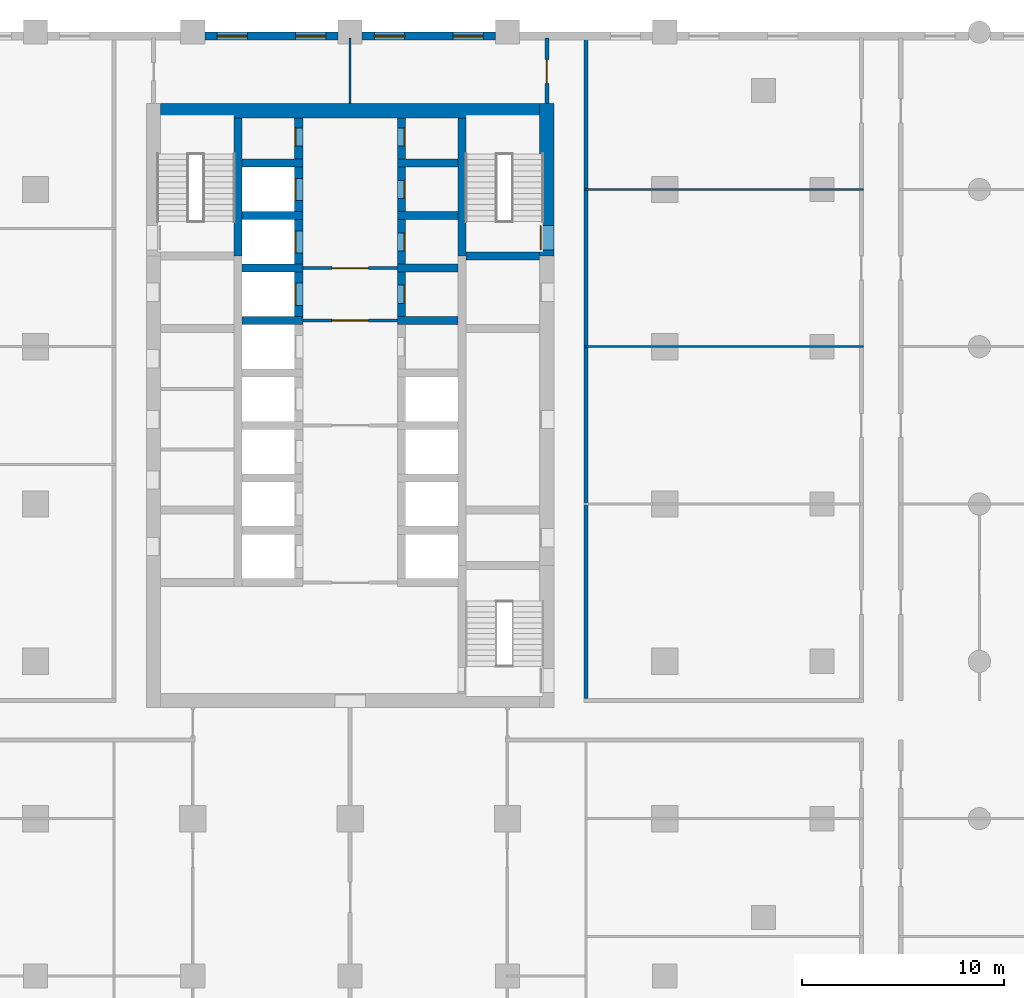
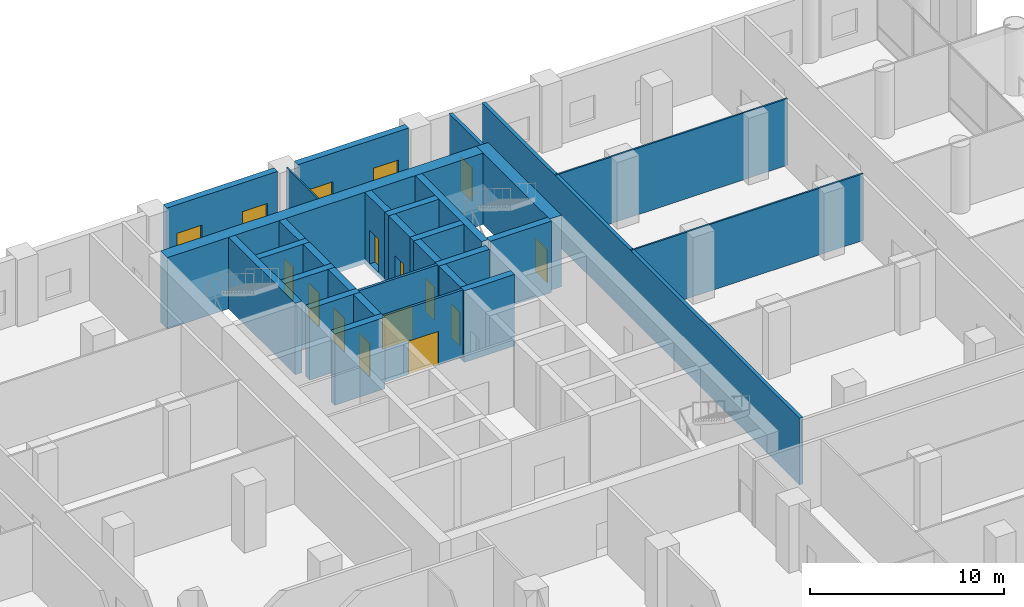
# One storey, part 13 of 24: 30 walls, 12 doors, 4 windows, 16 openings.
"""IFC4 building model written with IfcOpenShell, lengths in metres."""

from ifc_helpers import new_model, si_unit, direction, frame, frame_2d, origin, place, context, subcontext, project, spatial, rectangle, extrude, material, layer, layer_set, type_object, element, fill, save


model = new_model("IFC4")

# Units and contexts
model_context = context("Model", 3, precision=1e-05, world=origin(), true_north=direction((0.0, 1.0)))
body_context = subcontext(model_context, "Body", "Model", "MODEL_VIEW")
ifc_project = project(units=[si_unit("LENGTHUNIT", "METRE"), si_unit("AREAUNIT", "SQUARE_METRE"), si_unit("VOLUMEUNIT", "CUBIC_METRE"), si_unit("PLANEANGLEUNIT", "RADIAN"), si_unit("MASSUNIT", "GRAM", prefix="KILO")], contexts=[model_context])

# Site, building, storey
site_placement = place(None, origin())
site = spatial("IfcSite", under=ifc_project, at=site_placement, CompositionType="ELEMENT")
building_placement = place(site_placement, origin())
building = spatial("IfcBuilding", under=site, at=building_placement, Name="Ludao Terraces", CompositionType="ELEMENT")
storey_placement = place(building_placement, frame((0.0, 0.0, 6.0)))
storey = spatial("IfcBuildingStorey", under=building, at=storey_placement, Name="L01", CompositionType="ELEMENT", Elevation=6.0)

# Wall, opening, door
ifc_material_1 = material(Name="Concrete C70", Category="concrete")
ifc_layer_1 = layer(ifc_material_1, 0.699951171875)
ifc_layer_set_1 = layer_set([ifc_layer_1], Name="Core wall 700 C70")
wall_type_1 = type_object("IfcWallType", Name="Core wall 700 C70", PredefinedType="SOLIDWALL", material=ifc_layer_set_1)
wall_1_placement = place(storey_placement, frame((94.75, 77.300048828125, -0.300048828125), z_axis=(0.0, 0.0, 1.0), x_axis=(0.0, 1.0, 0.0)))
wall_1 = element("IfcWall", 1, at=wall_1_placement, inside=storey, type_object=wall_type_1, Name="Core wall L01 outer-E-S2", PredefinedType="SOLIDWALL", context=body_context, shape_type="SweptSolid", body=[
    extrude(rectangle(XDim=7.550048828125, YDim=0.699951171875, at=frame_2d((3.77490234375, 0.0))), origin(), (0.0, 0.0, 1.0), 4.5),
])
opening_1_placement = place(wall_1_placement, frame((0.300048828125, 0.0, 0.300048828125)))
opening_1 = element("IfcOpeningElement", 2, at=opening_1_placement, cuts=wall_1, Name="Opening L01-066", PredefinedType="OPENING", context=body_context, shape_type="SweptSolid", body=[
    extrude(rectangle(XDim=1.199951171875, YDim=2.10009765625, at=frame_2d((0.60009765625, 1.050048828125))), frame((0.0, 0.35986328125, 0.0), z_axis=(0.0, -1.0, 0.0), x_axis=(1.0, 0.0, 0.0)), (0.0, 0.0, 1.0), 0.719970703125),
])
ifc_material_2 = material(Name="Steel Q235", Category="steel")
door_type_1 = type_object("IfcDoorType", Name="INT Stair door 1200", OperationType="DOUBLE_DOOR_SINGLE_SWING", PredefinedType="DOOR", material=ifc_material_2)
door_1_placement = place(opening_1_placement, origin())
door_1 = element("IfcDoor", 3, at=door_1_placement, inside=storey, type_object=door_type_1, Name="DOOR 066", OperationType="DOUBLE_DOOR_SINGLE_SWING", OverallHeight=2.10009765625, OverallWidth=1.199951171875, PredefinedType="DOOR", context=body_context, shape_type="SweptSolid", body=[
    extrude(rectangle(XDim=1.199951171875, YDim=2.10009765625, at=frame_2d((0.60009765625, 1.050048828125))), frame((0.0, 0.3349609375, 0.0), z_axis=(0.0, -1.0, 0.0), x_axis=(1.0, 0.0, 0.0)), (0.0, 0.0, 1.0), 0.050048828125),
])
fill(opening_1, door_1)

# Wall
wall_2_placement = place(storey_placement, frame((75.60009765625, 84.5, -0.300048828125), z_axis=(0.0, 0.0, 1.0), x_axis=(1.0, 0.0, 0.0)))
element("IfcWall", 4, at=wall_2_placement, inside=storey, type_object=wall_type_1, Name="Core wall L01 outer-N", PredefinedType="SOLIDWALL", context=body_context, shape_type="SweptSolid", body=[
    extrude(rectangle(XDim=18.7998046875, YDim=0.699951171875, at=frame_2d((9.39990234375, 0.0))), origin(), (0.0, 0.0, 1.0), 4.5),
])

# Wall, openings, windows
ifc_material_3 = material(Name="Granite cladding", Category="masonry")
ifc_layer_2 = layer(ifc_material_3, 0.06005859375, Category="stone")
ifc_material_4 = material(Name="Mineral wool")
ifc_layer_3 = layer(ifc_material_4, 0.06005859375)
ifc_material_5 = material(Name="Concrete C40", Category="concrete")
ifc_layer_4 = layer(ifc_material_5, 0.260009765625, Category="concrete")
ifc_layer_set_2 = layer_set([ifc_layer_2, ifc_layer_3, ifc_layer_4], Name="ENV Stone-clad wall 380")
wall_type_2 = type_object("IfcWallType", Name="ENV Stone-clad wall 380", PredefinedType="SOLIDWALL", material=ifc_layer_set_2)
wall_3_placement = place(storey_placement, frame((77.800048828125, 88.2099609375, 0.0), z_axis=(0.0, 0.0, 1.0), x_axis=(1.0, 0.0, 0.0)))
wall_3 = element("IfcWall", 5, at=wall_3_placement, inside=storey, type_object=wall_type_2, Name="EW-L01-N4", PredefinedType="SOLIDWALL", context=body_context, shape_type="SweptSolid", body=[
    extrude(rectangle(XDim=6.599853515625, YDim=0.3798828125, at=frame_2d((3.2998046875, 0.0))), origin(), (0.0, 0.0, 1.0), 4.199951171875),
])
opening_2_placement = place(wall_3_placement, frame((0.60009765625, 0.0, 0.89990234375)))
opening_2 = element("IfcOpeningElement", 6, at=opening_2_placement, cuts=wall_3, Name="Opening W5", PredefinedType="OPENING", context=body_context, shape_type="SweptSolid", body=[
    extrude(rectangle(XDim=1.5, YDim=1.5, at=frame_2d((0.75, 0.75))), frame((0.0, 0.199951171875, 0.0), z_axis=(0.0, -1.0, 0.0), x_axis=(1.0, 0.0, 0.0)), (0.0, 0.0, 1.0), 0.39990234375),
])
opening_3_placement = place(wall_3_placement, frame((4.5, 0.0, 0.89990234375)))
opening_3 = element("IfcOpeningElement", 7, at=opening_3_placement, cuts=wall_3, Name="Opening W5", PredefinedType="OPENING", context=body_context, shape_type="SweptSolid", body=[
    extrude(rectangle(XDim=1.5, YDim=1.5, at=frame_2d((0.75, 0.75))), frame((0.0, 0.199951171875, 0.0), z_axis=(0.0, -1.0, 0.0), x_axis=(1.0, 0.0, 0.0)), (0.0, 0.0, 1.0), 0.39990234375),
])
ifc_material_6 = material(Name="Clear glass in aluminium frame", Category="aluminium")
ifc_layer_5 = layer(ifc_material_6, 0.06005859375)
ifc_layer_set_3 = layer_set([ifc_layer_5], Name="ENV Window W5 1500x1500")
window_type = type_object("IfcWindowType", Name="ENV Window W5 1500x1500", PartitioningType="SINGLE_PANEL", PredefinedType="WINDOW", material=ifc_layer_set_3)
window_1_placement = place(opening_2_placement, origin())
window_1 = element("IfcWindow", 8, at=window_1_placement, inside=storey, type_object=window_type, Name="W-L01-N4-1", OverallHeight=1.5, OverallWidth=1.5, PartitioningType="SINGLE_PANEL", PredefinedType="WINDOW", context=body_context, shape_type="SweptSolid", body=[
    extrude(rectangle(XDim=1.5, YDim=1.5, at=frame_2d((0.75, 0.75))), frame((0.0, 0.030029296875, 0.0), z_axis=(0.0, -1.0, 0.0), x_axis=(1.0, 0.0, 0.0)), (0.0, 0.0, 1.0), 0.06005859375),
])
fill(opening_2, window_1)
window_2_placement = place(opening_3_placement, origin())
window_2 = element("IfcWindow", 9, at=window_2_placement, inside=storey, type_object=window_type, Name="W-L01-N4-2", OverallHeight=1.5, OverallWidth=1.5, PartitioningType="SINGLE_PANEL", PredefinedType="WINDOW", context=body_context, shape_type="SweptSolid", body=[
    extrude(rectangle(XDim=1.5, YDim=1.5, at=frame_2d((0.75, 0.75))), frame((0.0, 0.030029296875, 0.0), z_axis=(0.0, -1.0, 0.0), x_axis=(1.0, 0.0, 0.0)), (0.0, 0.0, 1.0), 0.06005859375),
])
fill(opening_3, window_2)

wall_4_placement = place(storey_placement, frame((85.60009765625, 88.2099609375, 0.0), z_axis=(0.0, 0.0, 1.0), x_axis=(1.0, 0.0, 0.0)))
wall_4 = element("IfcWall", 10, at=wall_4_placement, inside=storey, type_object=wall_type_2, Name="EW-L01-N5", PredefinedType="SOLIDWALL", context=body_context, shape_type="SweptSolid", body=[
    extrude(rectangle(XDim=6.599853515625, YDim=0.3798828125, at=frame_2d((3.2998046875, 0.0))), origin(), (0.0, 0.0, 1.0), 4.199951171875),
])
opening_4_placement = place(wall_4_placement, frame((0.60009765625, 0.0, 0.89990234375)))
opening_4 = element("IfcOpeningElement", 11, at=opening_4_placement, cuts=wall_4, Name="Opening W5", PredefinedType="OPENING", context=body_context, shape_type="SweptSolid", body=[
    extrude(rectangle(XDim=1.5, YDim=1.5, at=frame_2d((0.75, 0.75))), frame((0.0, 0.199951171875, 0.0), z_axis=(0.0, -1.0, 0.0), x_axis=(1.0, 0.0, 0.0)), (0.0, 0.0, 1.0), 0.39990234375),
])
opening_5_placement = place(wall_4_placement, frame((4.5, 0.0, 0.89990234375)))
opening_5 = element("IfcOpeningElement", 12, at=opening_5_placement, cuts=wall_4, Name="Opening W5", PredefinedType="OPENING", context=body_context, shape_type="SweptSolid", body=[
    extrude(rectangle(XDim=1.5, YDim=1.5, at=frame_2d((0.75, 0.75))), frame((0.0, 0.199951171875, 0.0), z_axis=(0.0, -1.0, 0.0), x_axis=(1.0, 0.0, 0.0)), (0.0, 0.0, 1.0), 0.39990234375),
])
window_3_placement = place(opening_4_placement, origin())
window_3 = element("IfcWindow", 13, at=window_3_placement, inside=storey, type_object=window_type, Name="W-L01-N5-1", OverallHeight=1.5, OverallWidth=1.5, PartitioningType="SINGLE_PANEL", PredefinedType="WINDOW", context=body_context, shape_type="SweptSolid", body=[
    extrude(rectangle(XDim=1.5, YDim=1.5, at=frame_2d((0.75, 0.75))), frame((0.0, 0.030029296875, 0.0), z_axis=(0.0, -1.0, 0.0), x_axis=(1.0, 0.0, 0.0)), (0.0, 0.0, 1.0), 0.06005859375),
])
fill(opening_4, window_3)
window_4_placement = place(opening_5_placement, origin())
window_4 = element("IfcWindow", 14, at=window_4_placement, inside=storey, type_object=window_type, Name="W-L01-N5-2", OverallHeight=1.5, OverallWidth=1.5, PartitioningType="SINGLE_PANEL", PredefinedType="WINDOW", context=body_context, shape_type="SweptSolid", body=[
    extrude(rectangle(XDim=1.5, YDim=1.5, at=frame_2d((0.75, 0.75))), frame((0.0, 0.030029296875, 0.0), z_axis=(0.0, -1.0, 0.0), x_axis=(1.0, 0.0, 0.0)), (0.0, 0.0, 1.0), 0.06005859375),
])
fill(opening_5, window_4)

# Wall, opening, door
ifc_material_7 = material(Name="Fire-rated gypsum plasterboard", Category="gypsum")
ifc_layer_6 = layer(ifc_material_7, 0.012451171875, Category="gypsum")
ifc_layer_7 = layer(ifc_material_4, 0.10009765625, Name="insulation")
ifc_layer_8 = layer(ifc_material_2, 0.02490234375, Name="stud")
ifc_layer_9 = layer(ifc_material_7, 0.012451171875, Category="gypsum")
ifc_layer_set_4 = layer_set([ifc_layer_6, ifc_layer_7, ifc_layer_8, ifc_layer_9], Name="INT Core partition 150")
wall_type_3 = type_object("IfcWallType", Name="INT Core partition 150", PredefinedType="PARTITIONING", material=ifc_layer_set_4)
wall_5_placement = place(storey_placement, frame((82.650146484375, 74.10009765625, 0.0), z_axis=(0.0, 0.0, 1.0), x_axis=(1.0, 0.0, 0.0)))
wall_5 = element("IfcWall", 15, at=wall_5_placement, inside=storey, type_object=wall_type_3, Name="PW-L01-PW041", PredefinedType="PARTITIONING", context=body_context, shape_type="SweptSolid", body=[
    extrude(rectangle(XDim=4.699951171875, YDim=0.14990234375, at=frame_2d((2.35009765625, 0.0))), origin(), (0.0, 0.0, 1.0), 4.199951171875),
])
opening_6_placement = place(wall_5_placement, frame((1.449951171875, 0.0, 0.0)))
opening_6 = element("IfcOpeningElement", 16, at=opening_6_placement, cuts=wall_5, Name="Opening L01-053", PredefinedType="OPENING", context=body_context, shape_type="SweptSolid", body=[
    extrude(rectangle(XDim=1.800048828125, YDim=2.10009765625, at=frame_2d((0.89990234375, 1.050048828125))), frame((0.0, 0.0849609375, 0.0), z_axis=(0.0, -1.0, 0.0), x_axis=(1.0, 0.0, 0.0)), (0.0, 0.0, 1.0), 0.169921875),
])
door_type_2 = type_object("IfcDoorType", Name="INT Fire lobby door 1800", OperationType="DOUBLE_DOOR_SINGLE_SWING", PredefinedType="DOOR", material=ifc_material_2)
door_2_placement = place(opening_6_placement, origin())
door_2 = element("IfcDoor", 17, at=door_2_placement, inside=storey, type_object=door_type_2, Name="DOOR 053", OperationType="DOUBLE_DOOR_SINGLE_SWING", OverallHeight=2.10009765625, OverallWidth=1.800048828125, PredefinedType="DOOR", context=body_context, shape_type="SweptSolid", body=[
    extrude(rectangle(XDim=1.800048828125, YDim=2.10009765625, at=frame_2d((0.89990234375, 1.050048828125))), frame((0.0, 0.02490234375, 0.0), z_axis=(0.0, -1.0, 0.0), x_axis=(1.0, 0.0, 0.0)), (0.0, 0.0, 1.0), 0.050048828125),
])
fill(opening_6, door_2)

wall_6_placement = place(storey_placement, frame((82.650146484375, 76.699951171875, 0.0), z_axis=(0.0, 0.0, 1.0), x_axis=(1.0, 0.0, 0.0)))
wall_6 = element("IfcWall", 18, at=wall_6_placement, inside=storey, type_object=wall_type_3, Name="PW-L01-PW042", PredefinedType="PARTITIONING", context=body_context, shape_type="SweptSolid", body=[
    extrude(rectangle(XDim=4.699951171875, YDim=0.14990234375, at=frame_2d((2.35009765625, 0.0))), origin(), (0.0, 0.0, 1.0), 4.199951171875),
])
opening_7_placement = place(wall_6_placement, frame((1.449951171875, 0.0, 0.0)))
opening_7 = element("IfcOpeningElement", 19, at=opening_7_placement, cuts=wall_6, Name="Opening L01-060", PredefinedType="OPENING", context=body_context, shape_type="SweptSolid", body=[
    extrude(rectangle(XDim=1.800048828125, YDim=2.10009765625, at=frame_2d((0.89990234375, 1.050048828125))), frame((0.0, 0.0849609375, 0.0), z_axis=(0.0, -1.0, 0.0), x_axis=(1.0, 0.0, 0.0)), (0.0, 0.0, 1.0), 0.169921875),
])
door_3_placement = place(opening_7_placement, origin())
door_3 = element("IfcDoor", 20, at=door_3_placement, inside=storey, type_object=door_type_2, Name="DOOR 060", OperationType="DOUBLE_DOOR_SINGLE_SWING", OverallHeight=2.10009765625, OverallWidth=1.800048828125, PredefinedType="DOOR", context=body_context, shape_type="SweptSolid", body=[
    extrude(rectangle(XDim=1.800048828125, YDim=2.10009765625, at=frame_2d((0.89990234375, 1.050048828125))), frame((0.0, 0.02490234375, 0.0), z_axis=(0.0, -1.0, 0.0), x_axis=(1.0, 0.0, 0.0)), (0.0, 0.0, 1.0), 0.050048828125),
])
fill(opening_7, door_3)

ifc_material_8 = material(Name="Autoclaved aerated concrete block B06 A3.5", Category="concrete")
ifc_layer_10 = layer(ifc_material_8, 0.199951171875)
ifc_layer_set_5 = layer_set([ifc_layer_10], Name="INT Entrance wall 200")
wall_type_4 = type_object("IfcWallType", Name="INT Entrance wall 200", PredefinedType="PARTITIONING", material=ifc_layer_set_5)
wall_7_placement = place(storey_placement, frame((94.75, 84.85009765625, 0.0), z_axis=(0.0, 0.0, 1.0), x_axis=(0.0, 1.0, 0.0)))
wall_7 = element("IfcWall", 21, at=wall_7_placement, inside=storey, type_object=wall_type_4, Name="PW-L01-PW066", PredefinedType="PARTITIONING", context=body_context, shape_type="SweptSolid", body=[
    extrude(rectangle(XDim=3.25, YDim=0.199951171875, at=frame_2d((1.625, 0.0))), origin(), (0.0, 0.0, 1.0), 4.199951171875),
])
opening_8_placement = place(wall_7_placement, frame((1.0, 0.0, 0.0)))
opening_8 = element("IfcOpeningElement", 22, at=opening_8_placement, cuts=wall_7, Name="Opening L01-076", PredefinedType="OPENING", context=body_context, shape_type="SweptSolid", body=[
    extrude(rectangle(XDim=1.199951171875, YDim=2.10009765625, at=frame_2d((0.60009765625, 1.050048828125))), frame((0.0, 0.10986328125, 0.0), z_axis=(0.0, -1.0, 0.0), x_axis=(1.0, 0.0, 0.0)), (0.0, 0.0, 1.0), 0.219970703125),
])
ifc_material_9 = material(Name="Timber door leaf", Category="wood")
door_type_3 = type_object("IfcDoorType", Name="INT Double door 1200", OperationType="DOUBLE_DOOR_SINGLE_SWING", PredefinedType="DOOR", material=ifc_material_9)
door_4_placement = place(opening_8_placement, origin())
door_4 = element("IfcDoor", 23, at=door_4_placement, inside=storey, type_object=door_type_3, Name="DOOR 076", OperationType="DOUBLE_DOOR_SINGLE_SWING", OverallHeight=2.10009765625, OverallWidth=1.199951171875, PredefinedType="DOOR", context=body_context, shape_type="SweptSolid", body=[
    extrude(rectangle(XDim=1.199951171875, YDim=2.10009765625, at=frame_2d((0.60009765625, 1.050048828125))), frame((0.0, 0.02490234375, 0.0), z_axis=(0.0, -1.0, 0.0), x_axis=(1.0, 0.0, 0.0)), (0.0, 0.0, 1.0), 0.050048828125),
])
fill(opening_8, door_4)

# Walls
wall_8_placement = place(storey_placement, frame((96.699951171875, 55.35009765625, 0.0), z_axis=(0.0, 0.0, 1.0), x_axis=(0.0, 1.0, 0.0)))
element("IfcWall", 24, at=wall_8_placement, inside=storey, type_object=wall_type_4, Name="PW-L01-PW069", PredefinedType="PARTITIONING", context=body_context, shape_type="SweptSolid", body=[
    extrude(rectangle(XDim=32.75, YDim=0.199951171875, at=frame_2d((16.375, 0.0))), origin(), (0.0, 0.0, 1.0), 4.199951171875),
])
ifc_material_10 = material(Name="Gypsum plasterboard", Category="gypsum")
ifc_layer_11 = layer(ifc_material_10, 0.012451171875, Category="gypsum")
ifc_layer_12 = layer(ifc_material_4, 0.06005859375, Name="insulation")
ifc_layer_13 = layer(ifc_material_2, 0.014892578125, Name="stud")
ifc_layer_14 = layer(ifc_material_10, 0.012451171875, Category="gypsum")
ifc_layer_set_6 = layer_set([ifc_layer_11, ifc_layer_12, ifc_layer_13, ifc_layer_14], Name="INT Partition 100")
wall_type_5 = type_object("IfcWallType", Name="INT Partition 100", PredefinedType="PARTITIONING", material=ifc_layer_set_6)
for number, where, z_axis, x_axis, name in (
    (25, (96.60009765625, 72.800048828125, 0.0), (0.0, 0.0, 1.0), (1.0, 0.0, 0.0), "PW-L01-PW038"),
    (26, (96.60009765625, 80.60009765625, 0.0), (0.0, 0.0, 1.0), (1.0, 0.0, 0.0), "PW-L01-PW046"),
):
    element("IfcWall", number, at=place(storey_placement, frame(where, z_axis=z_axis, x_axis=x_axis)), inside=storey, type_object=wall_type_5, Name=name, PredefinedType="PARTITIONING", context=body_context, shape_type="SweptSolid", body=[
        extrude(rectangle(XDim=13.85009765625, YDim=0.10009765625, at=frame_2d((6.925048828125, 0.0))), origin(), (0.0, 0.0, 1.0), 4.199951171875),
    ])
wall_9_placement = place(storey_placement, frame((85.0, 84.85009765625, 0.0), z_axis=(0.0, 0.0, 1.0), x_axis=(0.0, 1.0, 0.0)))
element("IfcWall", 27, at=wall_9_placement, inside=storey, type_object=wall_type_5, Name="PW-L01-PW062", PredefinedType="PARTITIONING", context=body_context, shape_type="SweptSolid", body=[
    extrude(rectangle(XDim=3.25, YDim=0.10009765625, at=frame_2d((1.625, 0.0))), origin(), (0.0, 0.0, 1.0), 4.199951171875),
])
ifc_material_11 = material(Name="Concrete C60", Category="concrete")
ifc_layer_15 = layer(ifc_material_11, 0.39990234375)
ifc_layer_set_7 = layer_set([ifc_layer_15], Name="Shaft wall 400 C60")
wall_type_6 = type_object("IfcWallType", Name="Shaft wall 400 C60", PredefinedType="SOLIDWALL", material=ifc_layer_set_7)
for number, where, z_axis, x_axis, name in (
    (28, (79.449951171875, 77.300048828125, -0.300048828125), (0.0, 0.0, 1.0), (0.0, 1.0, 0.0), "Core wall L01 back-W-S1"),
    (29, (90.550048828125, 77.300048828125, -0.300048828125), (0.0, 0.0, 1.0), (0.0, 1.0, 0.0), "Core wall L01 back-E-S2"),
):
    element("IfcWall", number, at=place(storey_placement, frame(where, z_axis=z_axis, x_axis=x_axis)), inside=storey, type_object=wall_type_6, Name=name, PredefinedType="SOLIDWALL", context=body_context, shape_type="SweptSolid", body=[
        extrude(rectangle(XDim=6.849853515625, YDim=0.39990234375, at=frame_2d((3.4248046875, 0.0))), origin(), (0.0, 0.0, 1.0), 4.5),
    ])
wall_10_placement = place(storey_placement, frame((79.64990234375, 74.10009765625, -0.300048828125), z_axis=(0.0, 0.0, 1.0), x_axis=(1.0, 0.0, 0.0)))
element("IfcWall", 30, at=wall_10_placement, inside=storey, type_object=wall_type_6, Name="Core wall L01 div-W6", PredefinedType="SOLIDWALL", context=body_context, shape_type="SweptSolid", body=[
    extrude(rectangle(XDim=3.0, YDim=0.39990234375, at=frame_2d((1.5, 0.0))), origin(), (0.0, 0.0, 1.0), 4.5),
])

# Wall, opening, door
wall_11_placement = place(storey_placement, frame((82.449951171875, 74.300048828125, -0.300048828125), z_axis=(0.0, 0.0, 1.0), x_axis=(0.0, 1.0, 0.0)))
wall_11 = element("IfcWall", 31, at=wall_11_placement, inside=storey, type_object=wall_type_6, Name="Core wall L01 front-W6", PredefinedType="SOLIDWALL", context=body_context, shape_type="SweptSolid", body=[
    extrude(rectangle(XDim=2.199951171875, YDim=0.39990234375, at=frame_2d((1.10009765625, 0.0))), origin(), (0.0, 0.0, 1.0), 4.5),
])
opening_9_placement = place(wall_11_placement, frame((0.550048828125, 0.0, 0.300048828125)))
opening_9 = element("IfcOpeningElement", 32, at=opening_9_placement, cuts=wall_11, Name="Opening LD-LA6", PredefinedType="OPENING", context=body_context, shape_type="SweptSolid", body=[
    extrude(rectangle(XDim=1.10009765625, YDim=2.10009765625, at=frame_2d((0.550048828125, 1.050048828125))), frame((0.0, 0.2099609375, 0.0), z_axis=(0.0, -1.0, 0.0), x_axis=(1.0, 0.0, 0.0)), (0.0, 0.0, 1.0), 0.419921875),
])
ifc_material_12 = material(Name="Stainless steel 304", Category="steel")
door_type_4 = type_object("IfcDoorType", Name="INT Lift landing door 1100", OperationType="SLIDING_TO_LEFT", PredefinedType="DOOR", material=ifc_material_12)
door_5_placement = place(opening_9_placement, origin())
door_5 = element("IfcDoor", 33, at=door_5_placement, inside=storey, type_object=door_type_4, Name="LANDING DOOR LA6 L01", OperationType="SLIDING_TO_LEFT", OverallHeight=2.10009765625, OverallWidth=1.10009765625, PredefinedType="DOOR", context=body_context, shape_type="SweptSolid", body=[
    extrude(rectangle(XDim=1.10009765625, YDim=2.10009765625, at=frame_2d((0.550048828125, 1.050048828125))), frame((0.0, 0.18505859375, 0.0), z_axis=(0.0, -1.0, 0.0), x_axis=(1.0, 0.0, 0.0)), (0.0, 0.0, 1.0), 0.050048828125),
])
fill(opening_9, door_5)

# Wall
wall_12_placement = place(storey_placement, frame((79.64990234375, 76.699951171875, -0.300048828125), z_axis=(0.0, 0.0, 1.0), x_axis=(1.0, 0.0, 0.0)))
element("IfcWall", 34, at=wall_12_placement, inside=storey, type_object=wall_type_6, Name="Core wall L01 div-W7", PredefinedType="SOLIDWALL", context=body_context, shape_type="SweptSolid", body=[
    extrude(rectangle(XDim=3.0, YDim=0.39990234375, at=frame_2d((1.5, 0.0))), origin(), (0.0, 0.0, 1.0), 4.5),
])

# Wall, opening, door
wall_13_placement = place(storey_placement, frame((82.449951171875, 76.89990234375, -0.300048828125), z_axis=(0.0, 0.0, 1.0), x_axis=(0.0, 1.0, 0.0)))
wall_13 = element("IfcWall", 35, at=wall_13_placement, inside=storey, type_object=wall_type_6, Name="Core wall L01 front-W7", PredefinedType="SOLIDWALL", context=body_context, shape_type="SweptSolid", body=[
    extrude(rectangle(XDim=2.2001953125, YDim=0.39990234375, at=frame_2d((1.10009765625, 0.0))), origin(), (0.0, 0.0, 1.0), 4.5),
])
opening_10_placement = place(wall_13_placement, frame((0.550048828125, 0.0, 0.300048828125)))
opening_10 = element("IfcOpeningElement", 36, at=opening_10_placement, cuts=wall_13, Name="Opening LD-FF1", PredefinedType="OPENING", context=body_context, shape_type="SweptSolid", body=[
    extrude(rectangle(XDim=1.10009765625, YDim=2.10009765625, at=frame_2d((0.550048828125, 1.050048828125))), frame((0.0, 0.2099609375, 0.0), z_axis=(0.0, -1.0, 0.0), x_axis=(1.0, 0.0, 0.0)), (0.0, 0.0, 1.0), 0.419921875),
])
door_6_placement = place(opening_10_placement, origin())
door_6 = element("IfcDoor", 37, at=door_6_placement, inside=storey, type_object=door_type_4, Name="LANDING DOOR FF1 L01", OperationType="SLIDING_TO_LEFT", OverallHeight=2.10009765625, OverallWidth=1.10009765625, PredefinedType="DOOR", context=body_context, shape_type="SweptSolid", body=[
    extrude(rectangle(XDim=1.10009765625, YDim=2.10009765625, at=frame_2d((0.550048828125, 1.050048828125))), frame((0.0, 0.18505859375, 0.0), z_axis=(0.0, -1.0, 0.0), x_axis=(1.0, 0.0, 0.0)), (0.0, 0.0, 1.0), 0.050048828125),
])
fill(opening_10, door_6)

# Wall
wall_14_placement = place(storey_placement, frame((79.64990234375, 79.300048828125, -0.300048828125), z_axis=(0.0, 0.0, 1.0), x_axis=(1.0, 0.0, 0.0)))
element("IfcWall", 38, at=wall_14_placement, inside=storey, type_object=wall_type_6, Name="Core wall L01 div-W8", PredefinedType="SOLIDWALL", context=body_context, shape_type="SweptSolid", body=[
    extrude(rectangle(XDim=3.0, YDim=0.39990234375, at=frame_2d((1.5, 0.0))), origin(), (0.0, 0.0, 1.0), 4.5),
])

# Wall, opening, door
wall_15_placement = place(storey_placement, frame((82.449951171875, 79.5, -0.300048828125), z_axis=(0.0, 0.0, 1.0), x_axis=(0.0, 1.0, 0.0)))
wall_15 = element("IfcWall", 39, at=wall_15_placement, inside=storey, type_object=wall_type_6, Name="Core wall L01 front-W8", PredefinedType="SOLIDWALL", context=body_context, shape_type="SweptSolid", body=[
    extrude(rectangle(XDim=2.199951171875, YDim=0.39990234375, at=frame_2d((1.10009765625, 0.0))), origin(), (0.0, 0.0, 1.0), 4.5),
])
opening_11_placement = place(wall_15_placement, frame((0.550048828125, 0.0, 0.300048828125)))
opening_11 = element("IfcOpeningElement", 40, at=opening_11_placement, cuts=wall_15, Name="Opening LD-FF2", PredefinedType="OPENING", context=body_context, shape_type="SweptSolid", body=[
    extrude(rectangle(XDim=1.10009765625, YDim=2.10009765625, at=frame_2d((0.550048828125, 1.050048828125))), frame((0.0, 0.2099609375, 0.0), z_axis=(0.0, -1.0, 0.0), x_axis=(1.0, 0.0, 0.0)), (0.0, 0.0, 1.0), 0.419921875),
])
door_7_placement = place(opening_11_placement, origin())
door_7 = element("IfcDoor", 41, at=door_7_placement, inside=storey, type_object=door_type_4, Name="LANDING DOOR FF2 L01", OperationType="SLIDING_TO_LEFT", OverallHeight=2.10009765625, OverallWidth=1.10009765625, PredefinedType="DOOR", context=body_context, shape_type="SweptSolid", body=[
    extrude(rectangle(XDim=1.10009765625, YDim=2.10009765625, at=frame_2d((0.550048828125, 1.050048828125))), frame((0.0, 0.18505859375, 0.0), z_axis=(0.0, -1.0, 0.0), x_axis=(1.0, 0.0, 0.0)), (0.0, 0.0, 1.0), 0.050048828125),
])
fill(opening_11, door_7)

# Wall
wall_16_placement = place(storey_placement, frame((79.64990234375, 81.89990234375, -0.300048828125), z_axis=(0.0, 0.0, 1.0), x_axis=(1.0, 0.0, 0.0)))
element("IfcWall", 42, at=wall_16_placement, inside=storey, type_object=wall_type_6, Name="Core wall L01 div-W9", PredefinedType="SOLIDWALL", context=body_context, shape_type="SweptSolid", body=[
    extrude(rectangle(XDim=3.0, YDim=0.39990234375, at=frame_2d((1.5, 0.0))), origin(), (0.0, 0.0, 1.0), 4.5),
])

# Wall, opening, door
wall_17_placement = place(storey_placement, frame((82.449951171875, 82.10009765625, -0.300048828125), z_axis=(0.0, 0.0, 1.0), x_axis=(0.0, 1.0, 0.0)))
wall_17 = element("IfcWall", 43, at=wall_17_placement, inside=storey, type_object=wall_type_6, Name="Core wall L01 front-W9", PredefinedType="SOLIDWALL", context=body_context, shape_type="SweptSolid", body=[
    extrude(rectangle(XDim=2.0498046875, YDim=0.39990234375, at=frame_2d((1.02490234375, 0.0))), origin(), (0.0, 0.0, 1.0), 4.5),
])
opening_12_placement = place(wall_17_placement, frame((0.64990234375, 0.0, 0.300048828125)))
opening_12 = element("IfcOpeningElement", 44, at=opening_12_placement, cuts=wall_17, Name="Opening L01-069", PredefinedType="OPENING", context=body_context, shape_type="SweptSolid", body=[
    extrude(rectangle(XDim=0.89990234375, YDim=2.10009765625, at=frame_2d((0.449951171875, 1.050048828125))), frame((0.0, 0.2099609375, 0.0), z_axis=(0.0, -1.0, 0.0), x_axis=(1.0, 0.0, 0.0)), (0.0, 0.0, 1.0), 0.419921875),
])
door_type_5 = type_object("IfcDoorType", Name="INT Room door 900", OperationType="SINGLE_SWING_LEFT", PredefinedType="DOOR", material=ifc_material_9)
door_8_placement = place(opening_12_placement, origin())
door_8 = element("IfcDoor", 45, at=door_8_placement, inside=storey, type_object=door_type_5, Name="DOOR 069", OperationType="SINGLE_SWING_RIGHT", OverallHeight=2.10009765625, OverallWidth=0.89990234375, PredefinedType="DOOR", context=body_context, shape_type="SweptSolid", body=[
    extrude(rectangle(XDim=0.89990234375, YDim=2.10009765625, at=frame_2d((0.449951171875, 1.050048828125))), frame((0.0, 0.18505859375, 0.0), z_axis=(0.0, -1.0, 0.0), x_axis=(1.0, 0.0, 0.0)), (0.0, 0.0, 1.0), 0.050048828125),
])
fill(opening_12, door_8)

# Wall
wall_18_placement = place(storey_placement, frame((87.35009765625, 74.10009765625, -0.300048828125), z_axis=(0.0, 0.0, 1.0), x_axis=(1.0, 0.0, 0.0)))
element("IfcWall", 46, at=wall_18_placement, inside=storey, type_object=wall_type_6, Name="Core wall L01 div-E6", PredefinedType="SOLIDWALL", context=body_context, shape_type="SweptSolid", body=[
    extrude(rectangle(XDim=3.0, YDim=0.39990234375, at=frame_2d((1.5, 0.0))), origin(), (0.0, 0.0, 1.0), 4.5),
])

# Wall, opening, door
wall_19_placement = place(storey_placement, frame((87.550048828125, 74.300048828125, -0.300048828125), z_axis=(0.0, 0.0, 1.0), x_axis=(0.0, 1.0, 0.0)))
wall_19 = element("IfcWall", 47, at=wall_19_placement, inside=storey, type_object=wall_type_6, Name="Core wall L01 front-E6", PredefinedType="SOLIDWALL", context=body_context, shape_type="SweptSolid", body=[
    extrude(rectangle(XDim=2.199951171875, YDim=0.39990234375, at=frame_2d((1.10009765625, 0.0))), origin(), (0.0, 0.0, 1.0), 4.5),
])
opening_13_placement = place(wall_19_placement, frame((0.64990234375, 0.0, 0.300048828125)))
opening_13 = element("IfcOpeningElement", 48, at=opening_13_placement, cuts=wall_19, Name="Opening L01-055", PredefinedType="OPENING", context=body_context, shape_type="SweptSolid", body=[
    extrude(rectangle(XDim=0.89990234375, YDim=2.10009765625, at=frame_2d((0.449951171875, 1.050048828125))), frame((0.0, 0.2099609375, 0.0), z_axis=(0.0, -1.0, 0.0), x_axis=(1.0, 0.0, 0.0)), (0.0, 0.0, 1.0), 0.419921875),
])
door_9_placement = place(opening_13_placement, origin())
door_9 = element("IfcDoor", 49, at=door_9_placement, inside=storey, type_object=door_type_5, Name="DOOR 055", OperationType="SINGLE_SWING_RIGHT", OverallHeight=2.10009765625, OverallWidth=0.89990234375, PredefinedType="DOOR", context=body_context, shape_type="SweptSolid", body=[
    extrude(rectangle(XDim=0.89990234375, YDim=2.10009765625, at=frame_2d((0.449951171875, 1.050048828125))), frame((0.0, -0.134765625, 0.0), z_axis=(0.0, -1.0, 0.0), x_axis=(1.0, 0.0, 0.0)), (0.0, 0.0, 1.0), 0.050048828125),
])
fill(opening_13, door_9)

# Wall
wall_20_placement = place(storey_placement, frame((87.35009765625, 76.699951171875, -0.300048828125), z_axis=(0.0, 0.0, 1.0), x_axis=(1.0, 0.0, 0.0)))
element("IfcWall", 50, at=wall_20_placement, inside=storey, type_object=wall_type_6, Name="Core wall L01 div-E7", PredefinedType="SOLIDWALL", context=body_context, shape_type="SweptSolid", body=[
    extrude(rectangle(XDim=3.0, YDim=0.39990234375, at=frame_2d((1.5, 0.0))), origin(), (0.0, 0.0, 1.0), 4.5),
])

# Wall, opening, door
wall_21_placement = place(storey_placement, frame((87.550048828125, 76.89990234375, -0.300048828125), z_axis=(0.0, 0.0, 1.0), x_axis=(0.0, 1.0, 0.0)))
wall_21 = element("IfcWall", 51, at=wall_21_placement, inside=storey, type_object=wall_type_6, Name="Core wall L01 front-E7", PredefinedType="SOLIDWALL", context=body_context, shape_type="SweptSolid", body=[
    extrude(rectangle(XDim=2.2001953125, YDim=0.39990234375, at=frame_2d((1.10009765625, 0.0))), origin(), (0.0, 0.0, 1.0), 4.5),
])
opening_14_placement = place(wall_21_placement, frame((0.64990234375, 0.0, 0.300048828125)))
opening_14 = element("IfcOpeningElement", 52, at=opening_14_placement, cuts=wall_21, Name="Opening L01-064", PredefinedType="OPENING", context=body_context, shape_type="SweptSolid", body=[
    extrude(rectangle(XDim=0.89990234375, YDim=2.10009765625, at=frame_2d((0.449951171875, 1.050048828125))), frame((0.0, 0.2099609375, 0.0), z_axis=(0.0, -1.0, 0.0), x_axis=(1.0, 0.0, 0.0)), (0.0, 0.0, 1.0), 0.419921875),
])
door_10_placement = place(opening_14_placement, origin())
door_10 = element("IfcDoor", 53, at=door_10_placement, inside=storey, type_object=door_type_5, Name="DOOR 064", OperationType="SINGLE_SWING_RIGHT", OverallHeight=2.10009765625, OverallWidth=0.89990234375, PredefinedType="DOOR", context=body_context, shape_type="SweptSolid", body=[
    extrude(rectangle(XDim=0.89990234375, YDim=2.10009765625, at=frame_2d((0.449951171875, 1.050048828125))), frame((0.0, -0.134765625, 0.0), z_axis=(0.0, -1.0, 0.0), x_axis=(1.0, 0.0, 0.0)), (0.0, 0.0, 1.0), 0.050048828125),
])
fill(opening_14, door_10)

# Wall
wall_22_placement = place(storey_placement, frame((87.35009765625, 79.300048828125, -0.300048828125), z_axis=(0.0, 0.0, 1.0), x_axis=(1.0, 0.0, 0.0)))
element("IfcWall", 54, at=wall_22_placement, inside=storey, type_object=wall_type_6, Name="Core wall L01 div-E8", PredefinedType="SOLIDWALL", context=body_context, shape_type="SweptSolid", body=[
    extrude(rectangle(XDim=3.0, YDim=0.39990234375, at=frame_2d((1.5, 0.0))), origin(), (0.0, 0.0, 1.0), 4.5),
])

# Wall, opening, door
wall_23_placement = place(storey_placement, frame((87.550048828125, 79.5, -0.300048828125), z_axis=(0.0, 0.0, 1.0), x_axis=(0.0, 1.0, 0.0)))
wall_23 = element("IfcWall", 55, at=wall_23_placement, inside=storey, type_object=wall_type_6, Name="Core wall L01 front-E8", PredefinedType="SOLIDWALL", context=body_context, shape_type="SweptSolid", body=[
    extrude(rectangle(XDim=2.199951171875, YDim=0.39990234375, at=frame_2d((1.10009765625, 0.0))), origin(), (0.0, 0.0, 1.0), 4.5),
])
opening_15_placement = place(wall_23_placement, frame((0.64990234375, 0.0, 0.300048828125)))
opening_15 = element("IfcOpeningElement", 56, at=opening_15_placement, cuts=wall_23, Name="Opening L01-068", PredefinedType="OPENING", context=body_context, shape_type="SweptSolid", body=[
    extrude(rectangle(XDim=0.89990234375, YDim=2.10009765625, at=frame_2d((0.449951171875, 1.050048828125))), frame((0.0, 0.2099609375, 0.0), z_axis=(0.0, -1.0, 0.0), x_axis=(1.0, 0.0, 0.0)), (0.0, 0.0, 1.0), 0.419921875),
])
door_11_placement = place(opening_15_placement, origin())
door_11 = element("IfcDoor", 57, at=door_11_placement, inside=storey, type_object=door_type_5, Name="DOOR 068", OperationType="SINGLE_SWING_LEFT", OverallHeight=2.10009765625, OverallWidth=0.89990234375, PredefinedType="DOOR", context=body_context, shape_type="SweptSolid", body=[
    extrude(rectangle(XDim=0.89990234375, YDim=2.10009765625, at=frame_2d((0.449951171875, 1.050048828125))), frame((0.0, -0.134765625, 0.0), z_axis=(0.0, -1.0, 0.0), x_axis=(1.0, 0.0, 0.0)), (0.0, 0.0, 1.0), 0.050048828125),
])
fill(opening_15, door_11)

# Wall
wall_24_placement = place(storey_placement, frame((87.35009765625, 81.89990234375, -0.300048828125), z_axis=(0.0, 0.0, 1.0), x_axis=(1.0, 0.0, 0.0)))
element("IfcWall", 58, at=wall_24_placement, inside=storey, type_object=wall_type_6, Name="Core wall L01 div-E9", PredefinedType="SOLIDWALL", context=body_context, shape_type="SweptSolid", body=[
    extrude(rectangle(XDim=3.0, YDim=0.39990234375, at=frame_2d((1.5, 0.0))), origin(), (0.0, 0.0, 1.0), 4.5),
])

# Wall, opening, door
wall_25_placement = place(storey_placement, frame((87.550048828125, 82.10009765625, -0.300048828125), z_axis=(0.0, 0.0, 1.0), x_axis=(0.0, 1.0, 0.0)))
wall_25 = element("IfcWall", 59, at=wall_25_placement, inside=storey, type_object=wall_type_6, Name="Core wall L01 front-E9", PredefinedType="SOLIDWALL", context=body_context, shape_type="SweptSolid", body=[
    extrude(rectangle(XDim=2.0498046875, YDim=0.39990234375, at=frame_2d((1.02490234375, 0.0))), origin(), (0.0, 0.0, 1.0), 4.5),
])
opening_16_placement = place(wall_25_placement, frame((0.64990234375, 0.0, 0.300048828125)))
opening_16 = element("IfcOpeningElement", 60, at=opening_16_placement, cuts=wall_25, Name="Opening L01-070", PredefinedType="OPENING", context=body_context, shape_type="SweptSolid", body=[
    extrude(rectangle(XDim=0.89990234375, YDim=2.10009765625, at=frame_2d((0.449951171875, 1.050048828125))), frame((0.0, 0.2099609375, 0.0), z_axis=(0.0, -1.0, 0.0), x_axis=(1.0, 0.0, 0.0)), (0.0, 0.0, 1.0), 0.419921875),
])
door_12_placement = place(opening_16_placement, origin())
door_12 = element("IfcDoor", 61, at=door_12_placement, inside=storey, type_object=door_type_5, Name="DOOR 070", OperationType="SINGLE_SWING_LEFT", OverallHeight=2.10009765625, OverallWidth=0.89990234375, PredefinedType="DOOR", context=body_context, shape_type="SweptSolid", body=[
    extrude(rectangle(XDim=0.89990234375, YDim=2.10009765625, at=frame_2d((0.449951171875, 1.050048828125))), frame((0.0, -0.134765625, 0.0), z_axis=(0.0, -1.0, 0.0), x_axis=(1.0, 0.0, 0.0)), (0.0, 0.0, 1.0), 0.050048828125),
])
fill(opening_16, door_12)

# Wall
wall_26_placement = place(storey_placement, frame((90.75, 77.300048828125, -0.300048828125), z_axis=(0.0, 0.0, 1.0), x_axis=(1.0, 0.0, 0.0)))
element("IfcWall", 62, at=wall_26_placement, inside=storey, type_object=wall_type_6, Name="Core wall L01 stair-E", PredefinedType="SOLIDWALL", context=body_context, shape_type="SweptSolid", body=[
    extrude(rectangle(XDim=3.64990234375, YDim=0.39990234375, at=frame_2d((1.824951171875, 0.0))), origin(), (0.0, 0.0, 1.0), 4.5),
])

save(model, "model.ifc")
